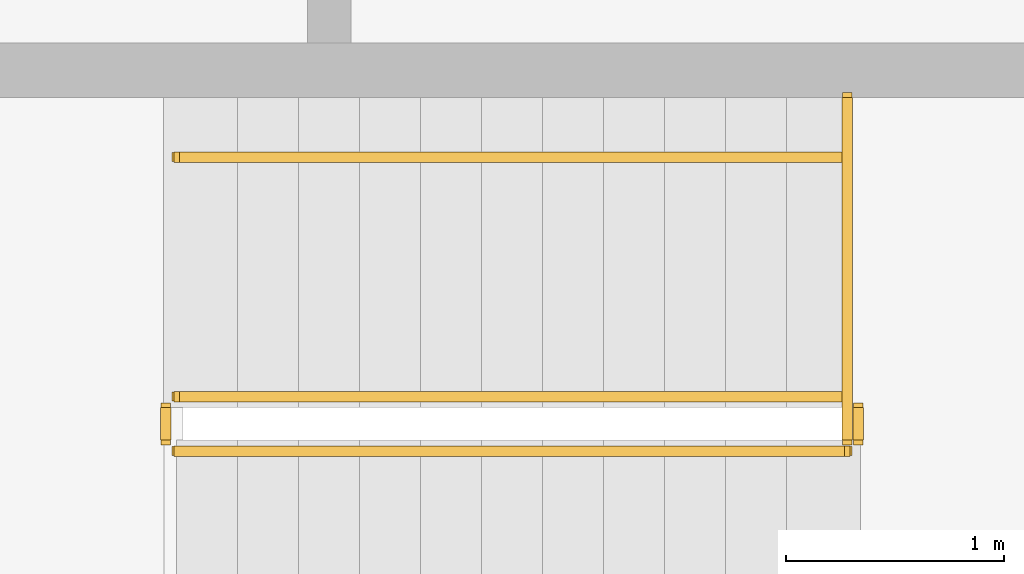
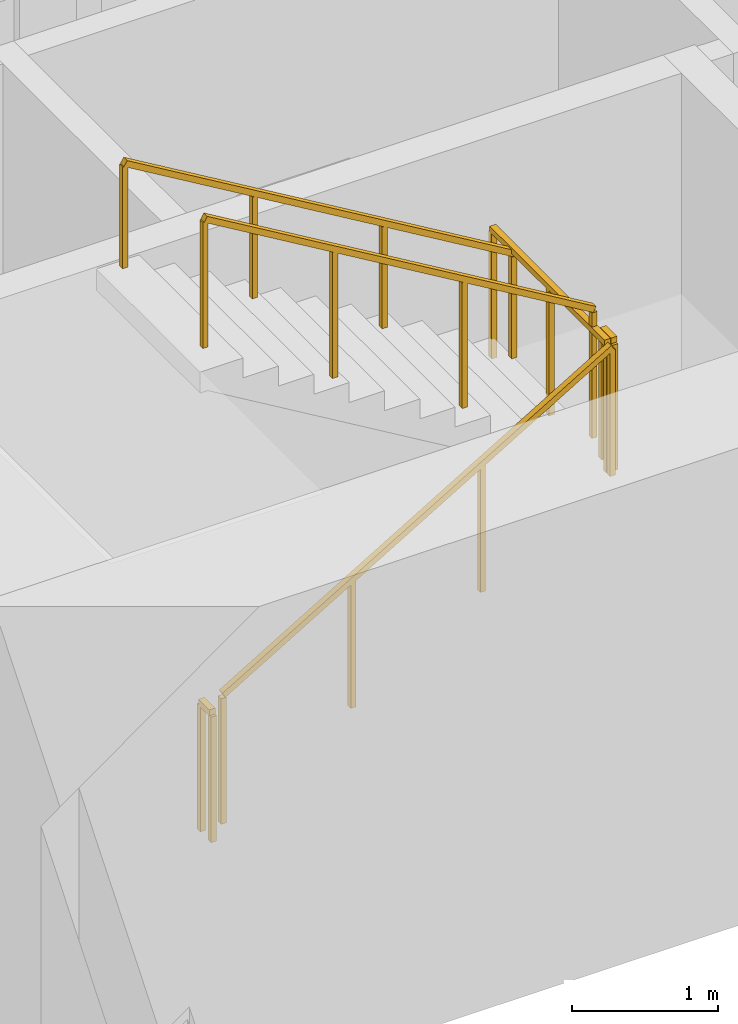
# One storey, part 14 of 17: 6 railings.
"""IFC4 building model written with IfcOpenShell, lengths in metres."""

import ifcopenshell
import ifcopenshell.guid

model = None  # the IFC model being written
_history = None  # IfcOwnerHistory: only IFC2X3 demands one
_inside = {}  # id of a spatial element -> (the spatial element, [elements in it])
_under = {}  # id of a project, library or spatial element -> (it, [spatial elements below it])
_declared = {}  # id of a project -> (the project, [libraries it declares])
_typed = {}  # id of a type object -> (the type object, [elements of that type])
_made_of = {}  # id of a material, layer set ... -> (it, [elements and type objects made of it])


def new_model(schema):
    """Start an empty IFC model of exactly this schema.

    Asked for "IFC4X3", IfcOpenShell would pick the latest addendum, in which some entities
    have other attributes; the version numbers below select the first issue.
    IFC2X3 requires an IfcOwnerHistory on every rooted entity: one is made here for all.
    """
    global model, _history
    if schema == "IFC4X3":
        model = ifcopenshell.file(schema_version=(4, 3, 0, 0))
    else:
        model = ifcopenshell.file(schema=schema)
    _inside.clear()
    _under.clear()
    _declared.clear()
    _typed.clear()
    _made_of.clear()
    _history = None
    if model.schema == "IFC2X3":
        org = make("IfcOrganization", Name="unknown")
        user = make(
            "IfcPersonAndOrganization",
            ThePerson=make("IfcPerson", FamilyName="unknown"),
            TheOrganization=org,
        )
        app = make(
            "IfcApplication",
            ApplicationDeveloper=org,
            Version="unknown",
            ApplicationFullName="unknown",
            ApplicationIdentifier="unknown",
        )
        _history = make(
            "IfcOwnerHistory",
            OwningUser=user,
            OwningApplication=app,
            ChangeAction="ADDED",
            CreationDate=0,
        )
    return model


def make(cls, **values):
    """One entity of the class cls with the attributes given. An attribute that is None is left unset."""
    return model.create_entity(
        cls, **{name: value for name, value in values.items() if value is not None}
    )


def rooted(cls, **values):
    """An entity with a GlobalId (a new one), such as an element, a storey or a relation."""
    return make(cls, GlobalId=ifcopenshell.guid.new(), OwnerHistory=_history, **values)


def si_unit(unit_type, name, prefix=None):
    """IfcSIUnit, for example si_unit("LENGTHUNIT", "METRE", prefix="MILLI")."""
    return make("IfcSIUnit", UnitType=unit_type, Prefix=prefix, Name=name)


def assignment(units):
    """IfcUnitAssignment: the units of a project."""
    return None if units is None else make("IfcUnitAssignment", Units=units)


def point(xyz):
    """IfcCartesianPoint."""
    return None if xyz is None else make("IfcCartesianPoint", Coordinates=xyz)


def direction(xyz):
    """IfcDirection."""
    return None if xyz is None else make("IfcDirection", DirectionRatios=xyz)


def frame(location, z_axis=None, x_axis=None):
    """IfcAxis2Placement3D, a coordinate frame: its origin and axes. An axis left out is left unset."""
    return make(
        "IfcAxis2Placement3D",
        Location=point(location),
        Axis=direction(z_axis),
        RefDirection=direction(x_axis),
    )


def frame_2d(location, x_axis=None):
    """IfcAxis2Placement2D, a coordinate frame in the plane: its origin and x axis."""
    return make(
        "IfcAxis2Placement2D", Location=point(location), RefDirection=direction(x_axis)
    )


def origin():
    """The frame at (0, 0, 0) with its axes left unset."""
    return frame((0.0, 0.0, 0.0))


def origin_2d():
    """The frame at (0, 0) in the plane with its x axis left unset."""
    return frame_2d((0.0, 0.0))


def place(relative_to, where):
    """IfcLocalPlacement: puts the frame where relative to a parent placement (None: the world)."""
    return make(
        "IfcLocalPlacement", PlacementRelTo=relative_to, RelativePlacement=where
    )


def context(
    kind, dimensions, precision=None, world=None, true_north=None, identifier=None
):
    """IfcGeometricRepresentationContext, for example the 3D "Model" context."""
    return make(
        "IfcGeometricRepresentationContext",
        ContextIdentifier=identifier,
        ContextType=kind,
        CoordinateSpaceDimension=dimensions,
        Precision=precision,
        WorldCoordinateSystem=world,
        TrueNorth=true_north,
    )


def subcontext(parent, identifier, kind, view, scale=None):
    """IfcGeometricRepresentationSubContext, for example "Body" below "Model"."""
    return make(
        "IfcGeometricRepresentationSubContext",
        ContextIdentifier=identifier,
        ContextType=kind,
        ParentContext=parent,
        TargetScale=scale,
        TargetView=view,
    )


def project(units=None, contexts=None):
    """IfcProject with its units and contexts."""
    return rooted(
        "IfcProject",
        Name="project",
        RepresentationContexts=contexts,
        UnitsInContext=assignment(units),
    )


def spatial(cls, under=None, at=None, **own):
    """A site, building, storey or space (cls), placed at a placement, below another one or the project."""
    s = rooted(cls, ObjectPlacement=at, **own)
    if under is not None:
        _under.setdefault(under.id(), (under, []))[1].append(s)
    return s


def profile(cls, at=None, kind="AREA", **sizes):
    """A parametric profile (cls). Its sizes go by their IFC names, for example OverallWidth=200.0."""
    return make(cls, ProfileType=kind, Position=at, **sizes)


def rectangle(**sizes):
    """IfcRectangleProfileDef."""
    return profile("IfcRectangleProfileDef", **sizes)


def extrude(swept, where, along, depth):
    """IfcExtrudedAreaSolid: the profile swept, set in the frame where, extruded along a direction by depth."""
    return make(
        "IfcExtrudedAreaSolid",
        SweptArea=swept,
        Position=where,
        ExtrudedDirection=direction(along),
        Depth=depth,
    )


def shape(context_of_items, identifier, shape_type, items):
    """IfcShapeRepresentation: the items that make up one representation, for example the "Body"."""
    return make(
        "IfcShapeRepresentation",
        ContextOfItems=context_of_items,
        RepresentationIdentifier=identifier,
        RepresentationType=shape_type,
        Items=items,
    )


def material(Name=None, Category=None):
    """IfcMaterial."""
    return make("IfcMaterial", Name=Name, Category=Category)


def made_of(thing, what):
    """Note that an element or type object is made of a material, layer set ...; save() writes the relation."""
    if what is not None:
        _made_of.setdefault(what.id(), (what, []))[1].append(thing)
    return thing


def type_object(cls, material=None, **own):
    """A type object (cls), such as IfcWallType, which elements share."""
    return made_of(rooted(cls, **own), material)


def element(
    cls,
    number,
    at=None,
    inside=None,
    cuts=None,
    type_object=None,
    material=None,
    context=None,
    identifier="Body",
    shape_type=None,
    held_by="IfcProductDefinitionShape",
    body=None,
    shapes=None,
    **own,
):
    """One element of the class cls, such as IfcWall. Its Tag is "e" and its number.

    at: its placement. inside: the storey or other place that contains it. cuts: it is an
    opening in that element (IfcRelVoidsElement). A single representation is given by context,
    identifier, shape_type and body (its items); several are given by shapes. held_by: the class
    of the entity that holds the representations. save() writes the other relations.
    """
    e = rooted(cls, Tag="e%d" % number, ObjectPlacement=at, **own)
    if body is not None:
        shapes = [shape(context, identifier, shape_type, body)]
    if shapes is not None:
        e.Representation = make(held_by, Representations=shapes)
    if inside is not None:
        _inside.setdefault(inside.id(), (inside, []))[1].append(e)
    if cuts is not None:
        rooted(
            "IfcRelVoidsElement", RelatingBuildingElement=cuts, RelatedOpeningElement=e
        )
    if type_object is not None:
        _typed.setdefault(type_object.id(), (type_object, []))[1].append(e)
    return made_of(e, material)


def aggregate(whole, parts):
    """IfcRelAggregates: a whole, such as a stair, and the parts it consists of."""
    return rooted("IfcRelAggregates", RelatingObject=whole, RelatedObjects=parts)


def save(model, path):
    """Write the relations noted so far, then the file.

    IfcRelAggregates (storeys below a building ...), IfcRelContainedInSpatialStructure (elements
    in a storey), IfcRelDefinesByType, IfcRelAssociatesMaterial and IfcRelDeclares: one each for
    every whole, place, type object, material and project.
    """
    for whole, parts in _under.values():
        aggregate(whole, parts)
    for where, things in _inside.values():
        rooted(
            "IfcRelContainedInSpatialStructure",
            RelatedElements=things,
            RelatingStructure=where,
        )
    for kind, things in _typed.values():
        rooted("IfcRelDefinesByType", RelatedObjects=things, RelatingType=kind)
    for what, things in _made_of.values():
        rooted("IfcRelAssociatesMaterial", RelatedObjects=things, RelatingMaterial=what)
    for by, libraries in _declared.values():
        rooted("IfcRelDeclares", RelatingContext=by, RelatedDefinitions=libraries)
    model.write(path)


model = new_model("IFC4")

# Units and contexts
model_context = context("Model", 3, precision=1e-05, world=origin(), true_north=direction((0.0, 1.0)))
body_context = subcontext(model_context, "Body", "Model", "MODEL_VIEW")
ifc_project = project(units=[si_unit("LENGTHUNIT", "METRE"), si_unit("AREAUNIT", "SQUARE_METRE"), si_unit("VOLUMEUNIT", "CUBIC_METRE"), si_unit("PLANEANGLEUNIT", "RADIAN"), si_unit("MASSUNIT", "GRAM", prefix="KILO")], contexts=[model_context])

# Site, building, storey
site_placement = place(None, origin())
site = spatial("IfcSite", under=ifc_project, at=site_placement, CompositionType="ELEMENT")
building_placement = place(site_placement, origin())
building = spatial("IfcBuilding", under=site, at=building_placement, Name="Sennacour Bend Tower", CompositionType="ELEMENT")
storey_placement = place(building_placement, frame((0.0, 0.0, 215.0)))
storey = spatial("IfcBuildingStorey", under=building, at=storey_placement, Name="L49", CompositionType="ELEMENT", Elevation=215.0)

# Railings
ifc_material = material(Name="Stainless steel", Category="steel")
railing_type_1 = type_object("IfcRailingType", Name="RL-GUARD-1100", PredefinedType="GUARDRAIL", material=ifc_material)
railing_1_placement = place(storey_placement, frame((56.699951171875, 2.449951171875, 0.166748046875)))
element("IfcRailing", 1, at=railing_1_placement, inside=storey, type_object=railing_type_1, Name="L49 SA1 stair guard 1", PredefinedType="GUARDRAIL", context=body_context, shape_type="SweptSolid", body=[
    extrude(rectangle(XDim=0.048095703125, YDim=0.048095703125, at=origin_2d()), frame((0.0, 0.0, 1.076171875), z_axis=(0.859308565015, 0.0, 0.511457515432), x_axis=(0.0, 1.0, 0.0)), (0.0, 0.0, 1.0), 3.58447265625),
    extrude(rectangle(XDim=0.0419921875, YDim=0.0419921875, at=origin_2d()), origin(), (0.0, 0.0, 1.0), 1.052001953125),
    extrude(rectangle(XDim=0.0419921875, YDim=0.0419921875, at=origin_2d()), frame((1.026611328125, 0.0, 0.611083984375)), (0.0, 0.0, 1.0), 1.052001953125),
    extrude(rectangle(XDim=0.0419921875, YDim=0.0419921875, at=origin_2d()), frame((2.053466796875, 0.0, 1.22216796875)), (0.0, 0.0, 1.0), 1.052001953125),
    extrude(rectangle(XDim=0.0419921875, YDim=0.0419921875, at=origin_2d()), frame((3.080078125, 0.0, 1.833251953125)), (0.0, 0.0, 1.0), 1.052001953125),
])
railing_2_placement = place(storey_placement, frame((59.830078125, 2.5, 2.0)))
element("IfcRailing", 2, at=railing_2_placement, inside=storey, type_object=railing_type_1, Name="L49 SA1 stair guard 2", PredefinedType="GUARDRAIL", context=body_context, shape_type="SweptSolid", body=[
    extrude(rectangle(XDim=0.048095703125, YDim=0.048095703125, at=origin_2d()), frame((0.0, 0.0, 1.076171875), z_axis=(0.0, 1.0, 0.0), x_axis=(-1.0, 0.0, 0.0)), (0.0, 0.0, 1.0), 0.14990234375),
    extrude(rectangle(XDim=0.0419921875, YDim=0.0419921875, at=origin_2d()), origin(), (0.0, 0.0, 1.0), 1.052001953125),
    extrude(rectangle(XDim=0.0419921875, YDim=0.0419921875, at=origin_2d()), frame((0.0, 0.14990234375, 0.0)), (0.0, 0.0, 1.0), 1.052001953125),
])
railing_3_placement = place(storey_placement, frame((59.780029296875, 2.699951171875, 2.166748046875)))
element("IfcRailing", 3, at=railing_3_placement, inside=storey, type_object=railing_type_1, Name="L49 SA1 stair guard 4", PredefinedType="GUARDRAIL", context=body_context, shape_type="SweptSolid", body=[
    extrude(rectangle(XDim=0.048095703125, YDim=0.048095703125, at=origin_2d()), frame((0.0, 0.0, 1.076171875), z_axis=(-0.859308565015, 0.0, 0.511457515432), x_axis=(0.0, -1.0, 0.0)), (0.0, 0.0, 1.0), 3.58447265625),
    extrude(rectangle(XDim=0.0419921875, YDim=0.0419921875, at=origin_2d()), origin(), (0.0, 0.0, 1.0), 1.052001953125),
    extrude(rectangle(XDim=0.0419921875, YDim=0.0419921875, at=origin_2d()), frame((-1.026611328125, 0.0, 0.611083984375)), (0.0, 0.0, 1.0), 1.052001953125),
    extrude(rectangle(XDim=0.0419921875, YDim=0.0419921875, at=origin_2d()), frame((-2.053466796875, 0.0, 1.22216796875)), (0.0, 0.0, 1.0), 1.052001953125),
    extrude(rectangle(XDim=0.0419921875, YDim=0.0419921875, at=origin_2d()), frame((-3.080078125, 0.0, 1.833251953125)), (0.0, 0.0, 1.0), 1.052001953125),
])
railing_4_placement = place(storey_placement, frame((56.64990234375, 2.5, 0.0)))
element("IfcRailing", 4, at=railing_4_placement, inside=storey, type_object=railing_type_1, Name="L49 SA1 stair guard 5", PredefinedType="GUARDRAIL", context=body_context, shape_type="SweptSolid", body=[
    extrude(rectangle(XDim=0.048095703125, YDim=0.048095703125, at=origin_2d()), frame((0.0, 0.0, 1.076171875), z_axis=(0.0, 1.0, 0.0), x_axis=(-1.0, 0.0, 0.0)), (0.0, 0.0, 1.0), 0.14990234375),
    extrude(rectangle(XDim=0.0419921875, YDim=0.0419921875, at=origin_2d()), origin(), (0.0, 0.0, 1.0), 1.052001953125),
    extrude(rectangle(XDim=0.0419921875, YDim=0.0419921875, at=origin_2d()), frame((0.0, 0.14990234375, 0.0)), (0.0, 0.0, 1.0), 1.052001953125),
])
railing_5_placement = place(storey_placement, frame((59.780029296875, 2.5, 2.0)))
element("IfcRailing", 5, at=railing_5_placement, inside=storey, type_object=railing_type_1, Name="L49 SA1 landing edge guard 71", PredefinedType="GUARDRAIL", context=body_context, shape_type="SweptSolid", body=[
    extrude(rectangle(XDim=0.048095703125, YDim=0.048095703125, at=origin_2d()), frame((0.0, 0.0, 1.076171875), z_axis=(0.0, 1.0, 0.0), x_axis=(-1.0, 0.0, 0.0)), (0.0, 0.0, 1.0), 1.574951171875),
    extrude(rectangle(XDim=0.0419921875, YDim=0.0419921875, at=origin_2d()), origin(), (0.0, 0.0, 1.0), 1.052001953125),
    extrude(rectangle(XDim=0.0419921875, YDim=0.0419921875, at=origin_2d()), frame((0.0, 0.78759765625, 0.0)), (0.0, 0.0, 1.0), 1.052001953125),
    extrude(rectangle(XDim=0.0419921875, YDim=0.0419921875, at=origin_2d()), frame((0.0, 1.574951171875, 0.0)), (0.0, 0.0, 1.0), 1.052001953125),
])
railing_type_2 = type_object("IfcRailingType", Name="RL-HANDRAIL-900", PredefinedType="HANDRAIL", material=ifc_material)
railing_6_placement = place(storey_placement, frame((59.780029296875, 3.800048828125, 2.166748046875)))
element("IfcRailing", 6, at=railing_6_placement, inside=storey, type_object=railing_type_2, Name="L49 SA1 stair handrail 2", PredefinedType="HANDRAIL", context=body_context, shape_type="SweptSolid", body=[
    extrude(rectangle(XDim=0.048095703125, YDim=0.048095703125, at=origin_2d()), frame((0.0, 0.0, 0.8759765625), z_axis=(-0.859308565015, 0.0, 0.511457515432), x_axis=(0.0, -1.0, 0.0)), (0.0, 0.0, 1.0), 3.58447265625),
    extrude(rectangle(XDim=0.0419921875, YDim=0.0419921875, at=origin_2d()), origin(), (0.0, 0.0, 1.0), 0.851806640625),
    extrude(rectangle(XDim=0.0419921875, YDim=0.0419921875, at=origin_2d()), frame((-1.026611328125, 0.0, 0.611083984375)), (0.0, 0.0, 1.0), 0.851806640625),
    extrude(rectangle(XDim=0.0419921875, YDim=0.0419921875, at=origin_2d()), frame((-2.053466796875, 0.0, 1.22216796875)), (0.0, 0.0, 1.0), 0.851806640625),
    extrude(rectangle(XDim=0.0419921875, YDim=0.0419921875, at=origin_2d()), frame((-3.080078125, 0.0, 1.833251953125)), (0.0, 0.0, 1.0), 0.851806640625),
])

save(model, "model.ifc")
